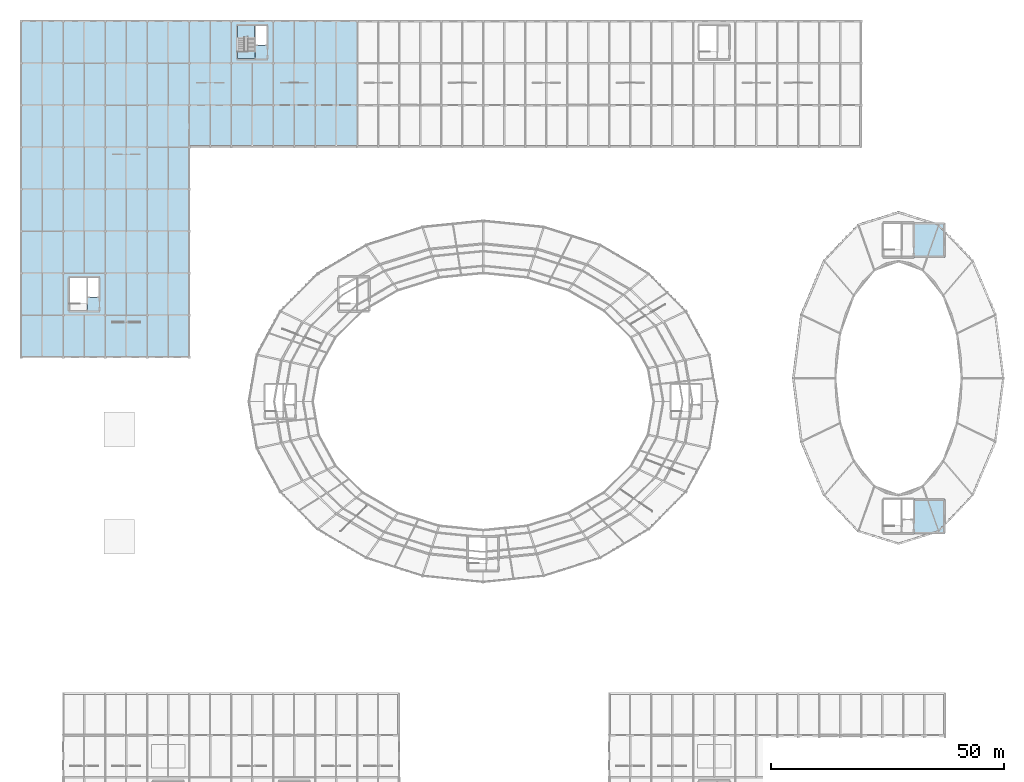
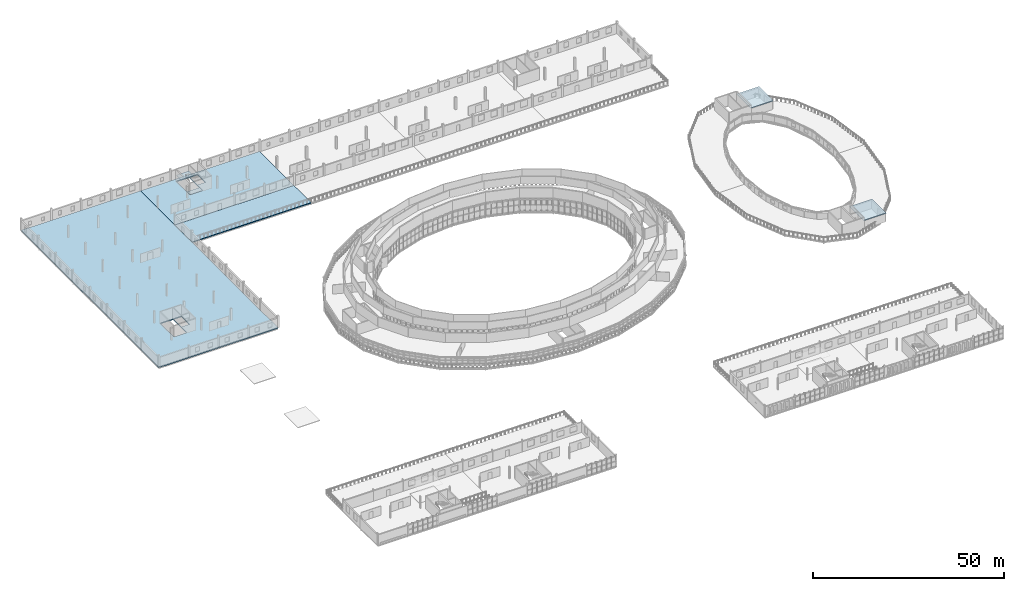
# One storey, part 91 of 123: 7 slabs, 1 element without a shape of its own.
"""IFC4 building model written with IfcOpenShell, lengths in metres."""

from ifc_helpers import new_model, si_unit, direction, frame, origin, place, context, subcontext, project, spatial, polyline, outline, extrude, material, layer, layer_set, type_object, element, aggregate, save


model = new_model("IFC4")

# Units and contexts
model_context = context("Model", 3, precision=1e-05, world=origin(), true_north=direction((0.0, 1.0)))
body_context = subcontext(model_context, "Body", "Model", "MODEL_VIEW")
ifc_project = project(units=[si_unit("LENGTHUNIT", "METRE"), si_unit("AREAUNIT", "SQUARE_METRE"), si_unit("VOLUMEUNIT", "CUBIC_METRE"), si_unit("PLANEANGLEUNIT", "RADIAN"), si_unit("MASSUNIT", "GRAM", prefix="KILO")], contexts=[model_context])

# Site, building, storey
site_placement = place(None, origin())
site = spatial("IfcSite", under=ifc_project, at=site_placement, CompositionType="ELEMENT")
building_placement = place(site_placement, origin())
building = spatial("IfcBuilding", under=site, at=building_placement, Name="Kildeholm Park Wholesale Market", CompositionType="ELEMENT")
storey_placement = place(building_placement, frame((0.0, 0.0, 9.60009765625)))
storey = spatial("IfcBuildingStorey", under=building, at=storey_placement, Name="L02", CompositionType="ELEMENT", Elevation=9.60009765625)

# Slabs
ifc_material_1 = material(Name="Concrete C40/50", Category="concrete")
ifc_layer_1 = layer(ifc_material_1, 0.320068359375)
ifc_layer_set_1 = layer_set([ifc_layer_1], Name="Concrete C40/50")
slab_type_1 = type_object("IfcSlabType", Name="Slab S-FL4 320 mm", PredefinedType="FLOOR", material=ifc_layer_set_1)
slab_1_placement = place(storey_placement, frame((0.0, 0.0, -0.320068359375)))
element("IfcSlab", 1, at=slab_1_placement, inside=storey, type_object=slab_type_1, Name="V4 L02 slab N part 1 SLB-0352", PredefinedType="FLOOR", context=body_context, shape_type="SweptSolid", body=[
    extrude(outline(polyline([(36.0, 171.0), (72.0, 171.0), (72.0, 153.0), (36.0, 153.0), (36.0, 171.0)]), holes=[polyline([(50.179931640625, 162.919921875), (50.179931640625, 170.080078125), (46.320068359375, 170.080078125), (46.320068359375, 162.919921875), (50.179931640625, 162.919921875)]), polyline([(52.679931640625, 165.820068359375), (52.679931640625, 170.080078125), (50.280029296875, 170.080078125), (50.280029296875, 165.820068359375), (52.679931640625, 165.820068359375)])]), origin(), (0.0, 0.0, 1.0), 0.320068359375),
])
slab_2_placement = place(storey_placement, frame((0.0, 0.0, -0.320068359375)))
element("IfcSlab", 2, at=slab_2_placement, inside=storey, type_object=slab_type_1, Name="V4 L02 slab W part 1 SLB-0356", PredefinedType="FLOOR", context=body_context, shape_type="SweptSolid", body=[
    extrude(outline(polyline([(0.0, 171.0), (36.0, 171.0), (36.0, 99.0), (0.0, 99.0), (0.0, 171.0)]), holes=[polyline([(14.179931640625, 108.919921875), (14.179931640625, 116.080078125), (10.320068359375, 116.080078125), (10.320068359375, 108.919921875), (14.179931640625, 108.919921875)]), polyline([(16.679931640625, 116.080078125), (14.280029296875, 116.080078125), (14.280029296875, 111.820068359375), (16.679931640625, 111.820068359375), (16.679931640625, 116.080078125)])]), origin(), (0.0, 0.0, 1.0), 0.320068359375),
])
ifc_material_2 = material(Name="Concrete C35/45", Category="concrete")
ifc_layer_2 = layer(ifc_material_2, 0.199951171875)
ifc_layer_set_2 = layer_set([ifc_layer_2], Name="Concrete C35/45")
slab_type_2 = type_object("IfcSlabType", Name="Slab S-RF3 200 mm", PredefinedType="ROOF", material=ifc_layer_set_2)
slab_3_placement = place(storey_placement, frame((0.0, 0.0, 2.599853515625)))
element("IfcSlab", 3, at=slab_3_placement, inside=storey, type_object=slab_type_2, Name="Oval south lounge roof SLB-0494", PredefinedType="ROOF", context=body_context, shape_type="SweptSolid", body=[
    extrude(outline(polyline([(191.199951171875, 61.199951171875), (198.0, 61.199951171875), (198.0, 68.60009765625), (191.199951171875, 68.60009765625), (191.199951171875, 61.199951171875)])), origin(), (0.0, 0.0, 1.0), 0.199951171875),
])
slab_4_placement = place(storey_placement, frame((0.0, 0.0, 2.599853515625)))
element("IfcSlab", 4, at=slab_4_placement, inside=storey, type_object=slab_type_2, Name="Oval north lounge roof SLB-0495", PredefinedType="ROOF", context=body_context, shape_type="SweptSolid", body=[
    extrude(outline(polyline([(191.199951171875, 120.39990234375), (198.0, 120.39990234375), (198.0, 127.800048828125), (191.199951171875, 127.800048828125), (191.199951171875, 120.39990234375)])), origin(), (0.0, 0.0, 1.0), 0.199951171875),
])
ifc_layer_3 = layer(ifc_material_1, 0.2900390625)
ifc_layer_set_3 = layer_set([ifc_layer_3], Name="Concrete C40/50")
slab_type_3 = type_object("IfcSlabType", Name="Slab S-TR1 290 mm", PredefinedType="ROOF", material=ifc_layer_set_3)
slab_5_placement = place(storey_placement, frame((0.0, 0.0, -0.2900390625)))
element("IfcSlab", 5, at=slab_5_placement, inside=storey, type_object=slab_type_3, Name="V4 L02 slab NTER part 1 SLB-0357", PredefinedType="ROOF", context=body_context, shape_type="SweptSolid", body=[
    extrude(outline(polyline([(36.0, 153.0), (72.0, 153.0), (72.0, 144.0), (36.0, 144.0), (36.0, 153.0)])), origin(), (0.0, 0.0, 1.0), 0.2900390625),
])
ifc_layer_4 = layer(ifc_material_2, 0.239990234375)
ifc_layer_set_4 = layer_set([ifc_layer_4], Name="Concrete C35/45")
slab_type_4 = type_object("IfcSlabType", Name="Stair landing slab S-LD1 240 mm", PredefinedType="LANDING", material=ifc_layer_set_4)
slab_6_placement = place(storey_placement, frame((0.0, 0.0, -0.239990234375)))
element("IfcSlab", 6, at=slab_6_placement, inside=storey, type_object=slab_type_4, Name="Core C02 stair landing slab L02 SLB-0412", PredefinedType="LANDING", context=body_context, shape_type="SweptSolid", body=[
    extrude(outline(polyline([(46.35009765625, 162.949951171875), (50.14990234375, 162.949951171875), (50.14990234375, 164.5), (46.35009765625, 164.5), (46.35009765625, 162.949951171875)])), origin(), (0.0, 0.0, 1.0), 0.239990234375),
])

# Stair, slab
stair_type = type_object("IfcStairType", Name="Protected upper core escape stair ST-CR2", PredefinedType="HALF_TURN_STAIR", material=ifc_material_2)
stair_placement = place(storey_placement, origin())
stair = element("IfcStair", 7, at=stair_placement, inside=storey, type_object=stair_type, Name="Escape stair C02 L02 STR-0005", PredefinedType="HALF_TURN_STAIR")
slab_7_placement = place(storey_placement, frame((0.0, 0.0, 1.7099609375)))
slab_7 = element("IfcSlab", 8, at=slab_7_placement, type_object=slab_type_4, Name="ST-02-02 landing 1 SLB-0413", PredefinedType="LANDING", context=body_context, shape_type="SweptSolid", body=[
    extrude(outline(polyline([(46.35009765625, 167.514892578125), (50.030029296875, 167.534912109375), (50.030029296875, 170.050048828125), (46.35009765625, 170.050048828125), (46.35009765625, 167.514892578125)])), origin(), (0.0, 0.0, 1.0), 0.239990234375),
])
aggregate(stair, [slab_7])

save(model, "model.ifc")
